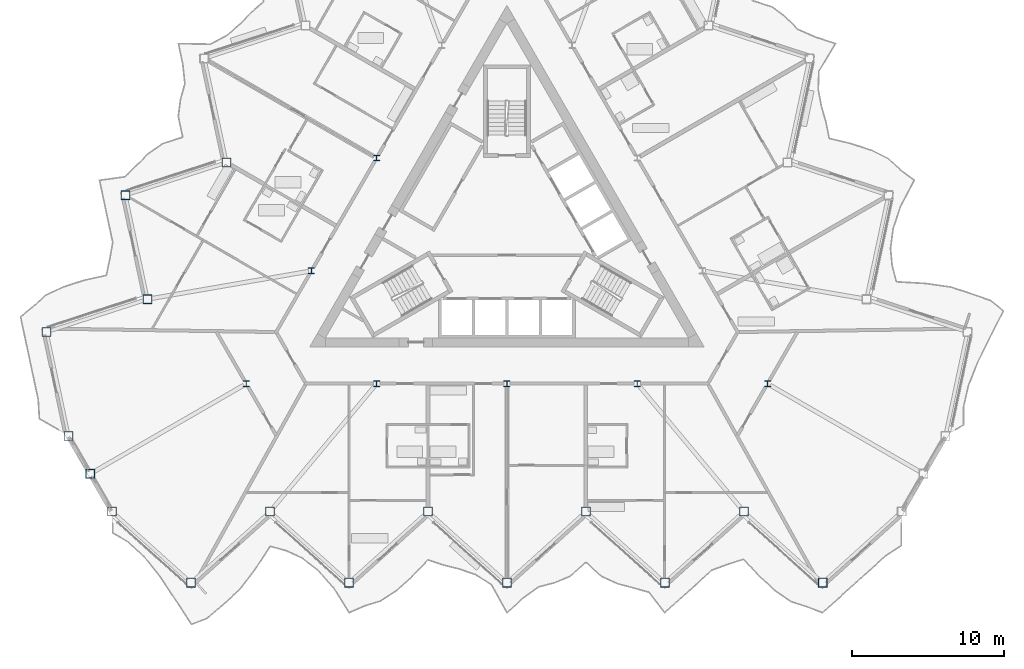
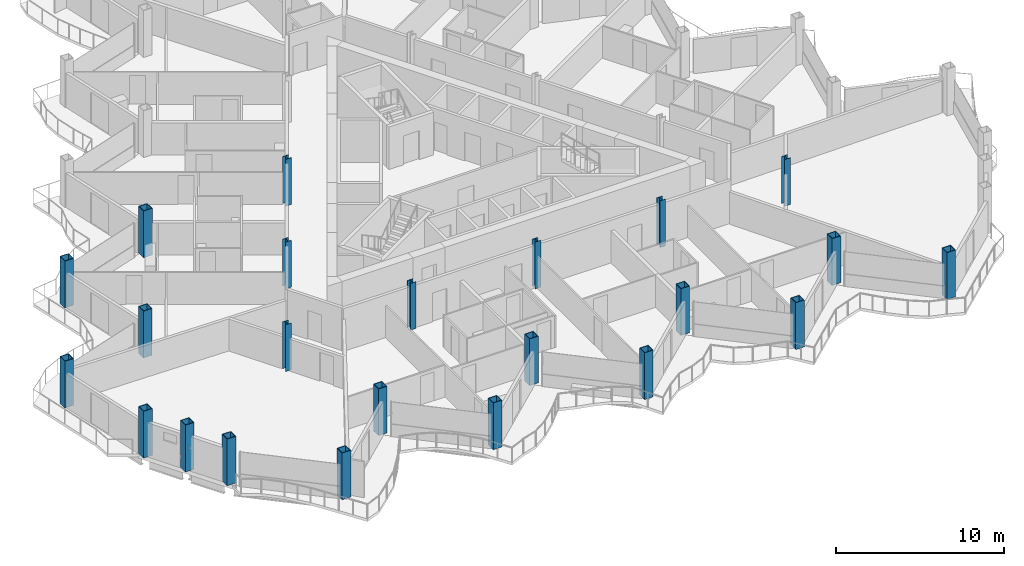
# One storey, part 1 of 26: 23 columns.
"""IFC4 building model written with IfcOpenShell, lengths in metres."""

from ifc_helpers import new_model, si_unit, direction, frame, origin, origin_2d, place, context, subcontext, project, spatial, hollow_rectangle, i_section, extrude, material, material_profile, profile_set, type_object, element, save


model = new_model("IFC4")

# Units and contexts
model_context = context("Model", 3, precision=1e-05, world=origin(), true_north=direction((0.0, 1.0)))
body_context = subcontext(model_context, "Body", "Model", "MODEL_VIEW")
ifc_project = project(units=[si_unit("LENGTHUNIT", "METRE"), si_unit("AREAUNIT", "SQUARE_METRE"), si_unit("VOLUMEUNIT", "CUBIC_METRE"), si_unit("PLANEANGLEUNIT", "RADIAN"), si_unit("MASSUNIT", "GRAM", prefix="KILO")], contexts=[model_context])

# Site, building, storey
site_placement = place(None, origin())
site = spatial("IfcSite", under=ifc_project, at=site_placement, CompositionType="ELEMENT")
building_placement = place(site_placement, origin())
building = spatial("IfcBuilding", under=site, at=building_placement, Name="Cormorant Prow Tower", CompositionType="ELEMENT")
storey_placement = place(building_placement, frame((0.0, 0.0, 322.199951171875)))
storey = spatial("IfcBuildingStorey", under=building, at=storey_placement, Name="L71", CompositionType="ELEMENT", Elevation=322.199951171875)

# Columns
ifc_material_1 = material(Name="Structural steel ASTM A572 Gr 50", Category="steel")
ifc_material_profile_1 = material_profile(ifc_material_1, hollow_rectangle(XDim=0.60009765625, YDim=0.60009765625, WallThickness=0.0400390625, at=origin_2d()), Name="Box 600x600x40")
ifc_profile_set_1 = profile_set([ifc_material_profile_1], Name="Structural steel ASTM A572 Gr 50")
column_type_1 = type_object("IfcColumnType", Name="Perimeter box column 600x600x40", PredefinedType="COLUMN", material=ifc_profile_set_1)
for number, where, z_axis, x_axis, name in (
    (1, (-25.995361328125, -18.326904296875, 0.0), (0.0, 0.0, 1.0), (1.0, 0.0, 0.0), "Perimeter column C6 at S00 L71"),
    (2, (-20.79638671875, -23.008056640625, 0.0), (0.0, 0.0, 1.0), (1.0, 0.0, 0.0), "Perimeter column C6 at S01 L71"),
    (3, (-15.59716796875, -18.326904296875, 0.0), (0.0, 0.0, 1.0), (1.0, 0.0, 0.0), "Perimeter column C6 at S02 L71"),
    (4, (-10.398193359375, -23.008056640625, 0.0), (0.0, 0.0, 1.0), (1.0, 0.0, 0.0), "Perimeter column C6 at S03 L71"),
    (5, (-5.198974609375, -18.326904296875, 0.0), (0.0, 0.0, 1.0), (1.0, 0.0, 0.0), "Perimeter column C6 at S04 L71"),
    (6, (0.0, -23.008056640625, 0.0), (0.0, 0.0, 1.0), (1.0, 0.0, 0.0), "Perimeter column C6 at S05 L71"),
    (7, (5.198974609375, -18.326904296875, 0.0), (0.0, 0.0, 1.0), (1.0, 0.0, 0.0), "Perimeter column C6 at S06 L71"),
    (8, (10.398193359375, -23.008056640625, 0.0), (0.0, 0.0, 1.0), (1.0, 0.0, 0.0), "Perimeter column C6 at S07 L71"),
    (9, (15.59716796875, -18.326904296875, 0.0), (0.0, 0.0, 1.0), (1.0, 0.0, 0.0), "Perimeter column C6 at S08 L71"),
    (10, (20.79638671875, -23.008056640625, 0.0), (0.0, 0.0, 1.0), (1.0, 0.0, 0.0), "Perimeter column C6 at S09 L71"),
    (11, (-18.470947265625, 4.660888671875, 0.0), (0.0, 0.0, 1.0), (1.0, 0.0, 0.0), "Perimeter column C6 at WNW06 L71"),
    (12, (-25.124755859375, 2.4990234375, 0.0), (0.0, 0.0, 1.0), (1.0, 0.0, 0.0), "Perimeter column C6 at WNW07 L71"),
    (13, (-23.670166015625, -4.34423828125, 0.0), (0.0, 0.0, 1.0), (1.0, 0.0, 0.0), "Perimeter column C6 at WNW08 L71"),
    (14, (-30.32373046875, -6.506103515625, 0.0), (0.0, 0.0, 1.0), (1.0, 0.0, 0.0), "Perimeter column C6 at WNW09 L71"),
    (15, (-28.869140625, -13.349365234375, 0.0), (0.0, 0.0, 1.0), (1.0, 0.0, 0.0), "Perimeter column C6 at WSW00 L71"),
    (16, (-27.432373046875, -15.838134765625, 0.0), (0.0, 0.0, 1.0), (1.0, 0.0, 0.0), "Perimeter column C6 at WSW01 L71"),
):
    element("IfcColumn", number, at=place(storey_placement, frame(where, z_axis=z_axis, x_axis=x_axis)), inside=storey, type_object=column_type_1, Name=name, PredefinedType="COLUMN", context=body_context, shape_type="SweptSolid", body=[
        extrude(hollow_rectangle(XDim=0.60009765625, YDim=0.60009765625, WallThickness=0.0400390625, at=origin_2d()), origin(), (0.0, 0.0, 1.0), 3.400146484375),
    ])
ifc_material_2 = material(Name="Structural steel ASTM A992 Gr 50", Category="steel")
ifc_material_profile_2 = material_profile(ifc_material_2, i_section(OverallWidth=0.3955078125, OverallDepth=0.380615234375, WebThickness=0.018798828125, FlangeThickness=0.0302734375, at=origin_2d()), Name="W14x159")
ifc_profile_set_2 = profile_set([ifc_material_profile_2], Name="Structural steel ASTM A992 Gr 50")
column_type_2 = type_object("IfcColumnType", Name="Ring column W14x159", PredefinedType="COLUMN", material=ifc_profile_set_2)
for number, where, z_axis, x_axis, name in (
    (17, (-8.578369140625, 4.952880859375, 0.0), (0.0, 0.0, 1.0), (1.0, 0.0, 0.0), "Ring column 3 L71"),
    (18, (-12.86767578125, -2.476318359375, 0.0), (0.0, 0.0, 1.0), (1.0, 0.0, 0.0), "Ring column 4 L71"),
    (19, (-17.156982421875, -9.905517578125, 0.0), (0.0, 0.0, 1.0), (1.0, 0.0, 0.0), "Ring column 5 L71"),
    (20, (-8.578369140625, -9.905517578125, 0.0), (0.0, 0.0, 1.0), (1.0, 0.0, 0.0), "Ring column 6 L71"),
    (21, (0.0, -9.905517578125, 0.0), (0.0, 0.0, 1.0), (1.0, 0.0, 0.0), "Ring column 7 L71"),
    (22, (8.578369140625, -9.905517578125, 0.0), (0.0, 0.0, 1.0), (1.0, 0.0, 0.0), "Ring column 8 L71"),
    (23, (17.156982421875, -9.905517578125, 0.0), (0.0, 0.0, 1.0), (1.0, 0.0, 0.0), "Ring column 9 L71"),
):
    element("IfcColumn", number, at=place(storey_placement, frame(where, z_axis=z_axis, x_axis=x_axis)), inside=storey, type_object=column_type_2, Name=name, PredefinedType="COLUMN", context=body_context, shape_type="SweptSolid", body=[
        extrude(i_section(OverallWidth=0.3955078125, OverallDepth=0.380615234375, WebThickness=0.018798828125, FlangeThickness=0.0302734375, at=origin_2d()), origin(), (0.0, 0.0, 1.0), 3.400146484375),
    ])

save(model, "model.ifc")
